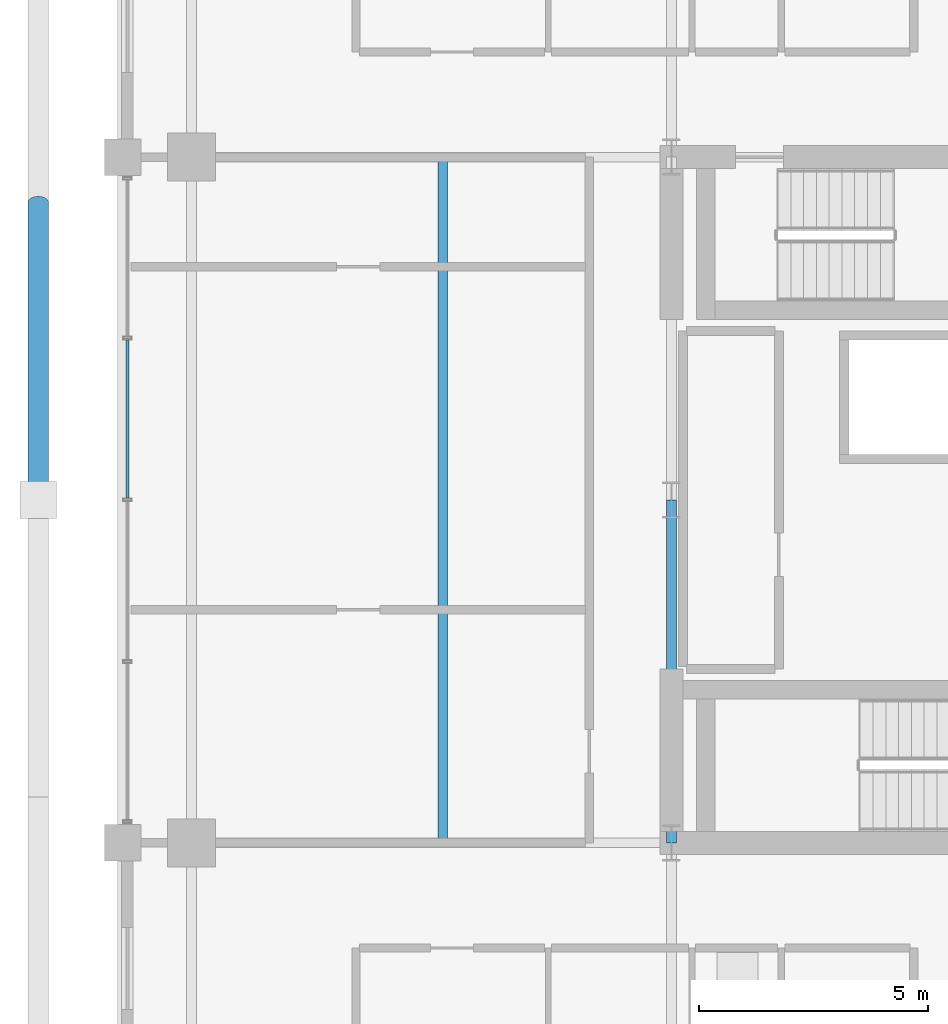
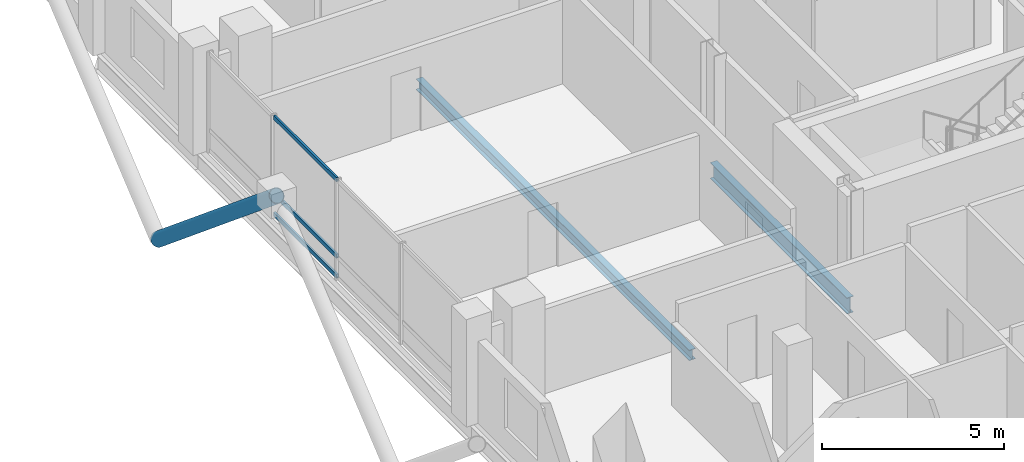
# One storey, part 7 of 24: 4 members, 2 beams, 1 element without a shape of its own.
"""IFC4 building model written with IfcOpenShell, lengths in metres."""

from ifc_helpers import new_model, si_unit, direction, frame, origin, origin_2d, place, context, subcontext, project, spatial, hollow_rectangle, hollow_circle, i_section, extrude, material, layer, layer_set, material_profile, profile_set, type_object, element, aggregate, save


model = new_model("IFC4")

# Units and contexts
model_context = context("Model", 3, precision=1e-05, world=origin(), true_north=direction((0.0, 1.0)))
body_context = subcontext(model_context, "Body", "Model", "MODEL_VIEW")
ifc_project = project(units=[si_unit("LENGTHUNIT", "METRE"), si_unit("AREAUNIT", "SQUARE_METRE"), si_unit("VOLUMEUNIT", "CUBIC_METRE"), si_unit("PLANEANGLEUNIT", "RADIAN"), si_unit("MASSUNIT", "GRAM", prefix="KILO")], contexts=[model_context])

# Site, building, storey
site_placement = place(None, origin())
site = spatial("IfcSite", under=ifc_project, at=site_placement, CompositionType="ELEMENT")
building_placement = place(site_placement, origin())
building = spatial("IfcBuilding", under=site, at=building_placement, Name="Barlavira Tower and Art Museum", CompositionType="ELEMENT")
storey_placement = place(building_placement, frame((0.0, 0.0, 194.39990234375)))
storey = spatial("IfcBuildingStorey", under=building, at=storey_placement, Name="L50", CompositionType="ELEMENT", Elevation=194.39990234375)

# Curtain wall, members
ifc_material_1 = material(Name="Low-iron coastal laminated glass", Category="glass")
ifc_layer = layer(ifc_material_1, 0.199951171875, Name="Low-iron coastal laminated glass")
ifc_layer_set = layer_set([ifc_layer], Name="Low-iron coastal laminated glass")
curtain_wall_type = type_object("IfcCurtainWallType", Name="Pale-Metal Unitised Curtain Wall Zone 3", PredefinedType="NOTDEFINED", material=ifc_layer_set)
curtain_wall_placement = place(storey_placement, origin())
curtain_wall = element("IfcCurtainWall", 1, at=curtain_wall_placement, inside=storey, type_object=curtain_wall_type, Name="L50 Curtain Wall CW3-L50-W-B3", PredefinedType="NOTDEFINED")
ifc_material_2 = material(Name="Pale anodised aluminium", Category="aluminium")
ifc_material_profile_1 = material_profile(ifc_material_2, hollow_rectangle(XDim=0.06494140625, YDim=0.139892578125, WallThickness=0.00390625, at=origin_2d()), Name="ALU-TRAN 65x140x4")
ifc_profile_set_1 = profile_set([ifc_material_profile_1], Name="Pale anodised aluminium")
member_type_1 = type_object("IfcMemberType", Name="Curtain Wall Pale-Metal Transom 65x140", PredefinedType="USERDEFINED", material=ifc_profile_set_1)
member_1_placement = place(storey_placement, frame((-18.39990234375, 3.4951171875, 0.070068359375), z_axis=(0.0, -1.0, 0.0), x_axis=(1.0, 0.0, 0.0)))
member_1 = element("IfcMember", 2, at=member_1_placement, type_object=member_type_1, Name="CW3-L50-W-B3 Transom 1.1", ObjectType="TRANSOM", PredefinedType="USERDEFINED", context=body_context, shape_type="SweptSolid", body=[
    extrude(hollow_rectangle(XDim=0.06494140625, YDim=0.139892578125, WallThickness=0.00390625, at=origin_2d()), origin(), (0.0, 0.0, 1.0), 3.4501953125),
])
member_2_placement = place(storey_placement, frame((-18.39990234375, 3.4951171875, 0.744140625), z_axis=(0.0, -1.0, 0.0), x_axis=(1.0, 0.0, 0.0)))
member_2 = element("IfcMember", 3, at=member_2_placement, type_object=member_type_1, Name="CW3-L50-W-B3 Transom 1.2", ObjectType="TRANSOM", PredefinedType="USERDEFINED", context=body_context, shape_type="SweptSolid", body=[
    extrude(hollow_rectangle(XDim=0.06494140625, YDim=0.139892578125, WallThickness=0.00390625, at=origin_2d()), origin(), (0.0, 0.0, 1.0), 3.4501953125),
])
member_3_placement = place(storey_placement, frame((-18.39990234375, 3.4951171875, 3.31005859375), z_axis=(0.0, -1.0, 0.0), x_axis=(1.0, 0.0, 0.0)))
member_3 = element("IfcMember", 4, at=member_3_placement, type_object=member_type_1, Name="CW3-L50-W-B3 Transom 1.3", ObjectType="TRANSOM", PredefinedType="USERDEFINED", context=body_context, shape_type="SweptSolid", body=[
    extrude(hollow_rectangle(XDim=0.06494140625, YDim=0.139892578125, WallThickness=0.00390625, at=origin_2d()), origin(), (0.0, 0.0, 1.0), 3.4501953125),
])
aggregate(curtain_wall, [member_1, member_2, member_3])

# Member
ifc_material_3 = material(Name="Steel S355", Category="steel")
ifc_material_profile_2 = material_profile(ifc_material_3, hollow_circle(Radius=0.228515625, WallThickness=0.02001953125, at=origin_2d()), Name="CHS 457.0x20.0")
ifc_profile_set_2 = profile_set([ifc_material_profile_2], Name="Steel S355")
member_type_2 = type_object("IfcMemberType", Name="Pale-Metal Exoskeleton Diagrid Tube CHS 457x20 Steel S355", PredefinedType="BRACE", material=ifc_profile_set_2)
member_4_placement = place(storey_placement, frame((-20.35009765625, 6.5, -1.919921875), z_axis=(0.0, -0.769196053329, 0.639012857104), x_axis=(1.0, 0.0, 0.0)))
element("IfcMember", 5, at=member_4_placement, inside=storey, type_object=member_type_2, Name="L50 Exoskeleton Diagrid Tube W", PredefinedType="BRACE", context=body_context, shape_type="SweptSolid", body=[
    extrude(hollow_circle(Radius=0.228515625, WallThickness=0.02001953125, at=origin_2d()), origin(), (0.0, 0.0, 1.0), 8.450439453125),
])

# Beams
ifc_material_profile_3 = material_profile(ifc_material_3, i_section(OverallWidth=0.205078125, OverallDepth=0.35400390625, WebThickness=0.009521484375, FlangeThickness=0.016845703125, at=origin_2d()), Name="W360x79.0")
ifc_profile_set_3 = profile_set([ifc_material_profile_3], Name="Steel S355")
beam_type_1 = type_object("IfcBeamType", Name="Zone 3 Composite Floor Joist W360x79 Steel S355", PredefinedType="JOIST", material=ifc_profile_set_3)
beam_1_placement = place(storey_placement, frame((-11.5, -7.5, -0.39697265625), z_axis=(0.0, 1.0, 0.0), x_axis=(-1.0, 0.0, 0.0)))
element("IfcBeam", 6, at=beam_1_placement, inside=storey, type_object=beam_type_1, Name="L50 Joist W1", PredefinedType="JOIST", context=body_context, shape_type="SweptSolid", body=[
    extrude(i_section(OverallWidth=0.205078125, OverallDepth=0.35400390625, WebThickness=0.009521484375, FlangeThickness=0.016845703125, at=origin_2d()), origin(), (0.0, 0.0, 1.0), 15.0),
])
ifc_material_profile_4 = material_profile(ifc_material_3, i_section(OverallWidth=0.2109375, OverallDepth=0.5390625, WebThickness=0.01171875, FlangeThickness=0.018798828125, at=origin_2d()), Name="W530x109.0")
ifc_profile_set_4 = profile_set([ifc_material_profile_4], Name="Steel S355")
beam_type_2 = type_object("IfcBeamType", Name="Zone 3-4 Primary Floor Girder W530x109 Steel S355", PredefinedType="BEAM", material=ifc_profile_set_4)
beam_2_placement = place(storey_placement, frame((-6.5, -7.5, -0.489501953125), z_axis=(0.0, 1.0, 0.0), x_axis=(-1.0, 0.0, 0.0)))
element("IfcBeam", 7, at=beam_2_placement, inside=storey, type_object=beam_type_2, Name="L50 Girder C-W1", PredefinedType="BEAM", context=body_context, shape_type="SweptSolid", body=[
    extrude(i_section(OverallWidth=0.2109375, OverallDepth=0.5390625, WebThickness=0.01171875, FlangeThickness=0.018798828125, at=origin_2d()), origin(), (0.0, 0.0, 1.0), 7.5),
])

save(model, "model.ifc")
